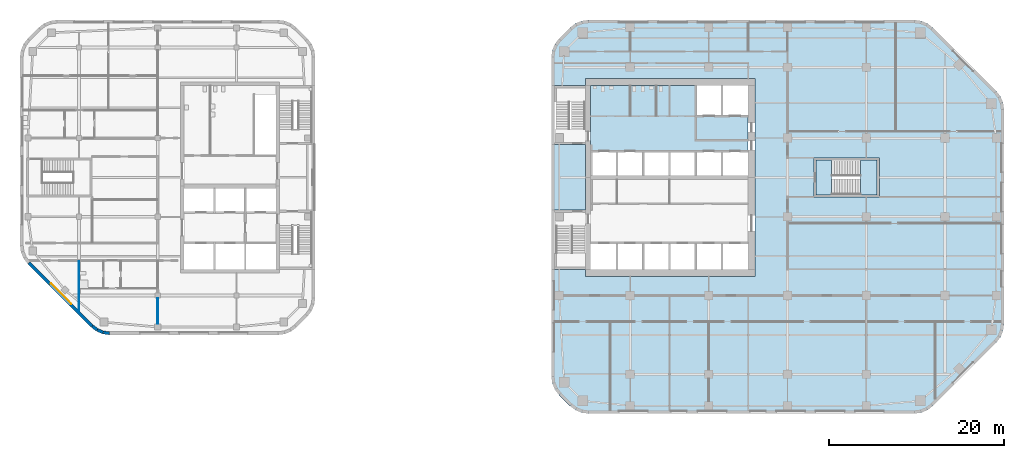
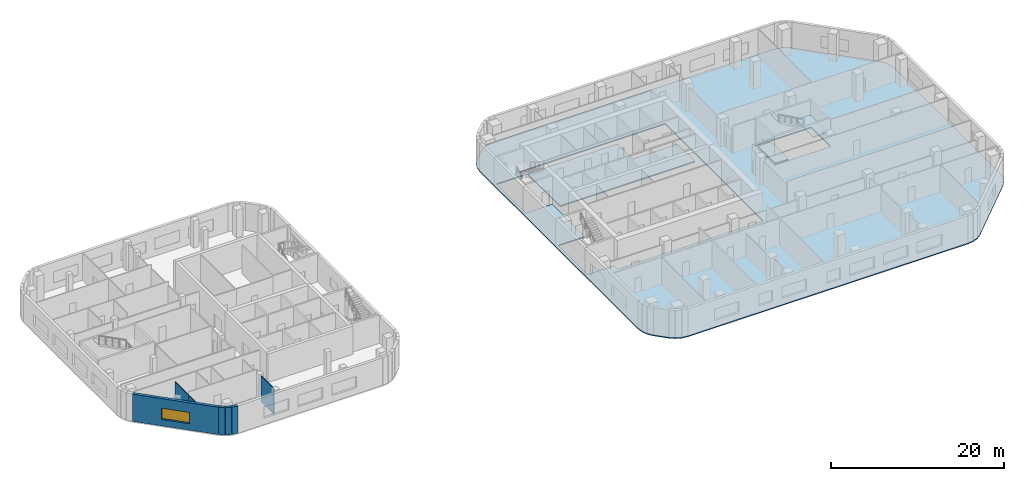
# One storey, part 4 of 15: 7 walls, 4 slabs, 1 window, 1 opening, 1 element without a shape of its own.
"""IFC4 building model written with IfcOpenShell, lengths in metres."""

from ifc_helpers import new_model, si_unit, direction, frame, frame_2d, origin, place, context, subcontext, project, spatial, polyline, rectangle, outline, extrude, material, layer, layer_set, type_object, element, fill, aggregate, save


model = new_model("IFC4")

# Units and contexts
model_context = context("Model", 3, precision=1e-05, world=origin(), true_north=direction((0.0, 1.0)))
body_context = subcontext(model_context, "Body", "Model", "MODEL_VIEW")
ifc_project = project(units=[si_unit("LENGTHUNIT", "METRE"), si_unit("AREAUNIT", "SQUARE_METRE"), si_unit("VOLUMEUNIT", "CUBIC_METRE"), si_unit("PLANEANGLEUNIT", "RADIAN"), si_unit("MASSUNIT", "GRAM", prefix="KILO")], contexts=[model_context])

# Site, building, storey
site_placement = place(None, origin())
site = spatial("IfcSite", under=ifc_project, at=site_placement, CompositionType="ELEMENT")
building_placement = place(site_placement, origin())
building = spatial("IfcBuilding", under=site, at=building_placement, Name="Cinnabar Reach Civic Tower", CompositionType="ELEMENT")
storey_placement = place(building_placement, frame((0.0, 0.0, 120.0)))
storey = spatial("IfcBuildingStorey", under=building, at=storey_placement, Name="L28", CompositionType="ELEMENT", Elevation=120.0)

# Slab
ifc_material_1 = material(Name="Concrete C40", Category="concrete")
ifc_layer_1 = layer(ifc_material_1, 0.15)
ifc_layer_set_1 = layer_set([ifc_layer_1], Name="Composite floor slab 150 REI 150")
slab_type_1 = type_object("IfcSlabType", Name="Composite floor slab 150 REI 150", PredefinedType="FLOOR", material=ifc_layer_set_1)
slab_1_placement = place(storey_placement, frame((0.0, 0.0, -0.15)))
element("IfcSlab", 1, at=slab_1_placement, inside=storey, type_object=slab_type_1, Name="Composite floor slab 150 T1 L28", PredefinedType="FLOOR", context=body_context, shape_type="SweptSolid", body=[
    extrude(outline(polyline([(0.8787, 6.6213), (0.4019, 7.2426), (0.1022, 7.9662), (0.0, 8.7426), (0.0, 45.2574), (0.1022, 46.0338), (0.4019, 46.7574), (0.8787, 47.3787), (2.1213, 48.6213), (2.7426, 49.0981), (3.4662, 49.3978), (4.2426, 49.5), (41.5074, 49.5), (42.2838, 49.3978), (43.0074, 49.0981), (43.6287, 48.6213), (50.8713, 41.3787), (51.3481, 40.7574), (51.6478, 40.0338), (51.75, 39.2574), (51.75, 14.7426), (51.6478, 13.9662), (51.3481, 13.2426), (50.8713, 12.6213), (43.6287, 5.3787), (43.0074, 4.9019), (42.2838, 4.6022), (41.5074, 4.5), (4.2426, 4.5), (3.4662, 4.6022), (2.7426, 4.9019), (2.1213, 5.3787), (0.8787, 6.6213)]), holes=[polyline([(0.36, 21.0), (3.9, 21.0), (3.9, 20.2), (23.3, 20.2), (23.3, 42.8), (3.9, 42.8), (3.9, 42.0), (0.36, 42.0), (0.36, 35.25), (3.9, 35.25), (3.9, 27.75), (0.36, 27.75), (0.36, 21.0)]), polyline([(30.0, 33.75), (30.0, 29.25), (37.5, 29.25), (37.5, 33.75), (30.0, 33.75)])]), origin(), (0.0, 0.0, 1.0), 0.15),
])

# Stair, slabs
ifc_material_2 = material(Name="Concrete C40/50", Category="concrete")
stair_type = type_object("IfcStairType", Name="T1 Exit stair, half-turn", PredefinedType="HALF_TURN_STAIR", material=ifc_material_2)
stair_placement = place(storey_placement, origin())
stair = element("IfcStair", 2, at=stair_placement, inside=storey, type_object=stair_type, Name="Stair T1-S3", PredefinedType="HALF_TURN_STAIR")
ifc_layer_2 = layer(ifc_material_2, 0.2)
ifc_layer_set_2 = layer_set([ifc_layer_2], Name="T1 Stair landing 200, Concrete C40/50")
slab_type_2 = type_object("IfcSlabType", Name="T1 Stair landing 200, Concrete C40/50", PredefinedType="LANDING", material=ifc_layer_set_2)
slab_2_placement = place(storey_placement, frame((0.0, 0.0, -0.2)))
slab_2 = element("IfcSlab", 3, at=slab_2_placement, type_object=slab_type_2, Name="T1-S3 landing 1", PredefinedType="LANDING", context=body_context, shape_type="SweptSolid", body=[
    extrude(outline(polyline([(30.25, 29.5), (32.05, 29.5), (32.05, 33.5), (30.25, 33.5), (30.25, 29.5)])), origin(), (0.0, 0.0, 1.0), 0.2),
])
slab_3_placement = place(storey_placement, frame((0.0, 0.0, 1.8)))
slab_3 = element("IfcSlab", 4, at=slab_3_placement, type_object=slab_type_2, Name="T1-S3 landing 2", PredefinedType="LANDING", context=body_context, shape_type="SweptSolid", body=[
    extrude(outline(polyline([(35.35, 29.5), (37.25, 29.5), (37.25, 33.5), (35.35, 33.5), (35.35, 29.5)])), origin(), (0.0, 0.0, 1.0), 0.2),
])
aggregate(stair, [slab_2, slab_3])

# Slab
ifc_layer_3 = layer(ifc_material_2, 0.15)
ifc_layer_set_3 = layer_set([ifc_layer_3], Name="T1 core floor slab 150")
slab_type_3 = type_object("IfcSlabType", Name="T1 core floor slab 150", PredefinedType="FLOOR", material=ifc_layer_set_3)
slab_4_placement = place(storey_placement, frame((0.0, 0.0, -0.15)))
element("IfcSlab", 5, at=slab_4_placement, inside=storey, type_object=slab_type_3, Name="Core floor slab L28", PredefinedType="FLOOR", context=body_context, shape_type="SweptSolid", body=[
    extrude(outline(polyline([(22.5, 34.5), (19.5, 34.5), (16.5, 34.5), (13.5, 34.5), (10.5, 34.5), (7.5, 34.5), (4.5, 34.5), (4.5, 42.0), (16.5, 42.0), (16.5, 38.5), (19.5, 38.5), (22.5, 38.5), (22.5, 34.5)])), origin(), (0.0, 0.0, 1.0), 0.15),
])

# Walls
ifc_material_3 = material(Name="Facing brick with insulated backing", Category="masonry")
ifc_layer_4 = layer(ifc_material_3, 0.36)
ifc_layer_set_4 = layer_set([ifc_layer_4], Name="Brick corner wall")
wall_type_1 = type_object("IfcWallType", Name="Brick corner wall", PredefinedType="STANDARD", material=ifc_layer_set_4)
wall_1_placement = place(storey_placement, frame((-52.4913, 14.5002, 0.0), z_axis=(0.0, 0.0, 1.0), x_axis=(0.793321924995, -0.608802368033, 0.0)))
element("IfcWall", 6, at=wall_1_placement, inside=storey, type_object=wall_type_1, Name="Brick corner wall", PredefinedType="STANDARD", context=body_context, shape_type="SweptSolid", body=[
    extrude(rectangle(XDim=0.7132, YDim=0.36, at=frame_2d((0.3566, 0.0))), origin(), (0.0, 0.0, 1.0), 3.85),
])
for number, where, z_axis, x_axis, name in (
    (7, (-51.9061, 14.0548, 0.0), (0.0, 0.0, 1.0), (0.923871547278, -0.382702709855, 0.0), "Brick corner wall"),
    (8, (-51.2256, 13.7761, 0.0), (0.0, 0.0, 1.0), (0.99144092581, -0.13055608231, 0.0), "Brick corner wall"),
):
    element("IfcWall", number, at=place(storey_placement, frame(where, z_axis=z_axis, x_axis=x_axis)), inside=storey, type_object=wall_type_1, Name=name, PredefinedType="STANDARD", context=body_context, shape_type="SweptSolid", body=[
        extrude(rectangle(XDim=0.7131, YDim=0.36, at=frame_2d((0.3565, 0.0))), origin(), (0.0, 0.0, 1.0), 3.85),
    ])

# Wall, opening, window
ifc_layer_5 = layer(ifc_material_3, 0.36)
ifc_layer_set_5 = layer_set([ifc_layer_5], Name="Brick pier and spandrel wall")
wall_type_2 = type_object("IfcWallType", Name="Brick pier and spandrel wall", PredefinedType="STANDARD", material=ifc_layer_set_5)
wall_2_placement = place(storey_placement, frame((-59.744, 21.7486, 0.0), z_axis=(0.0, 0.0, 1.0), x_axis=(0.707106781187, -0.707106781187, 0.0)))
wall_2 = element("IfcWall", 9, at=wall_2_placement, inside=storey, type_object=wall_type_2, Name="Brick facade wall", PredefinedType="STANDARD", context=body_context, shape_type="SweptSolid", body=[
    extrude(rectangle(XDim=10.2426, YDim=0.36, at=frame_2d((5.1213, 0.0))), origin(), (0.0, 0.0, 1.0), 3.85),
])
opening_placement = place(wall_2_placement, frame((3.4713, 0.0, 0.9)))
opening = element("IfcOpeningElement", 10, at=opening_placement, cuts=wall_2, Name="Opening W2750", PredefinedType="OPENING", context=body_context, shape_type="SweptSolid", body=[
    extrude(rectangle(XDim=3.3, YDim=1.6, at=frame_2d((1.65, 0.8))), frame((0.0, 0.19, 0.0), z_axis=(0.0, -1.0, 0.0), x_axis=(1.0, 0.0, 0.0)), (0.0, 0.0, 1.0), 0.38),
])
ifc_material_4 = material(Name="Clear double glazing in aluminium frame", Category="aluminium")
window_type = type_object("IfcWindowType", Name="Deep-set window A", PartitioningType="SINGLE_PANEL", PredefinedType="WINDOW", material=ifc_material_4)
window_placement = place(opening_placement, origin())
window = element("IfcWindow", 11, at=window_placement, inside=storey, type_object=window_type, Name="Window southwest face", OverallHeight=1.6, OverallWidth=3.3, PartitioningType="SINGLE_PANEL", PredefinedType="WINDOW", context=body_context, shape_type="SweptSolid", body=[
    extrude(rectangle(XDim=3.3, YDim=1.6, at=frame_2d((1.65, 0.8))), frame((0.0, 0.13, 0.0), z_axis=(0.0, -1.0, 0.0), x_axis=(1.0, 0.0, 0.0)), (0.0, 0.0, 1.0), 0.06),
])
fill(opening, window)

# Walls
ifc_material_5 = material(Name="Gypsum board on steel studs", Category="steel")
ifc_layer_6 = layer(ifc_material_5, 0.1)
ifc_layer_set_6 = layer_set([ifc_layer_6], Name="Partition wall 100 T2")
wall_type_3 = type_object("IfcWallType", Name="Partition wall 100 T2", PredefinedType="PARTITIONING", material=ifc_layer_set_6)
wall_3_placement = place(storey_placement, frame((-45.0, 14.75, 0.0), z_axis=(0.0, 0.0, 1.0), x_axis=(0.0, 1.0, 0.0)))
element("IfcWall", 12, at=wall_3_placement, inside=storey, type_object=wall_type_3, Name="Partition wall 20", PredefinedType="PARTITIONING", context=body_context, shape_type="SweptSolid", body=[
    extrude(rectangle(XDim=2.95, YDim=0.1, at=frame_2d((1.475, 0.0))), origin(), (0.0, 0.0, 1.0), 3.652),
])
wall_4_placement = place(storey_placement, frame((-54.0, 18.85, 0.0), z_axis=(0.0, 0.0, 1.0), x_axis=(0.0, 1.0, 0.0)))
element("IfcWall", 13, at=wall_4_placement, inside=storey, type_object=wall_type_3, Name="Partition wall 22", PredefinedType="PARTITIONING", context=body_context, shape_type="SweptSolid", body=[
    extrude(rectangle(XDim=3.075, YDim=0.1, at=frame_2d((1.5375, 0.0))), origin(), (0.0, 0.0, 1.0), 3.362),
])
wall_5_placement = place(storey_placement, frame((-54.0, 16.2591, 0.0), z_axis=(0.0, 0.0, 1.0), x_axis=(0.0, 1.0, 0.0)))
element("IfcWall", 14, at=wall_5_placement, inside=storey, type_object=wall_type_3, Name="Partition wall 23", PredefinedType="PARTITIONING", context=body_context, shape_type="SweptSolid", body=[
    extrude(rectangle(XDim=2.4909, YDim=0.1, at=frame_2d((1.2454, 0.0))), origin(), (0.0, 0.0, 1.0), 3.362),
])

save(model, "model.ifc")
